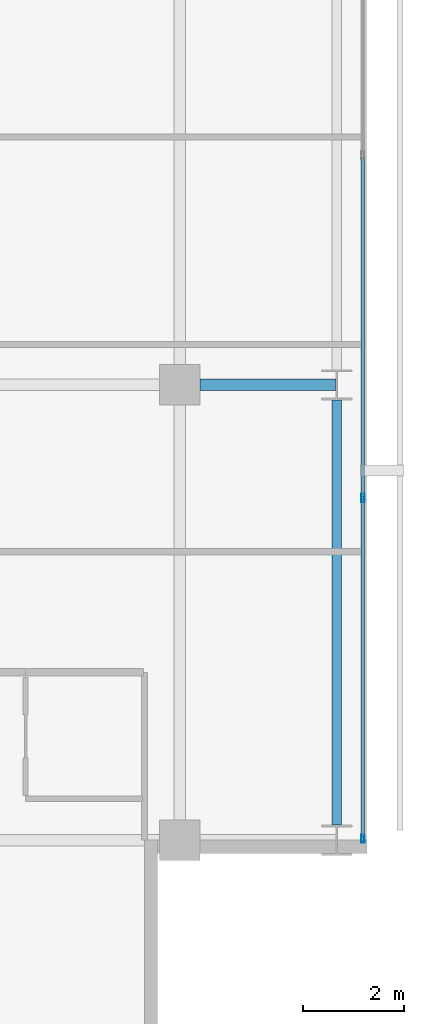
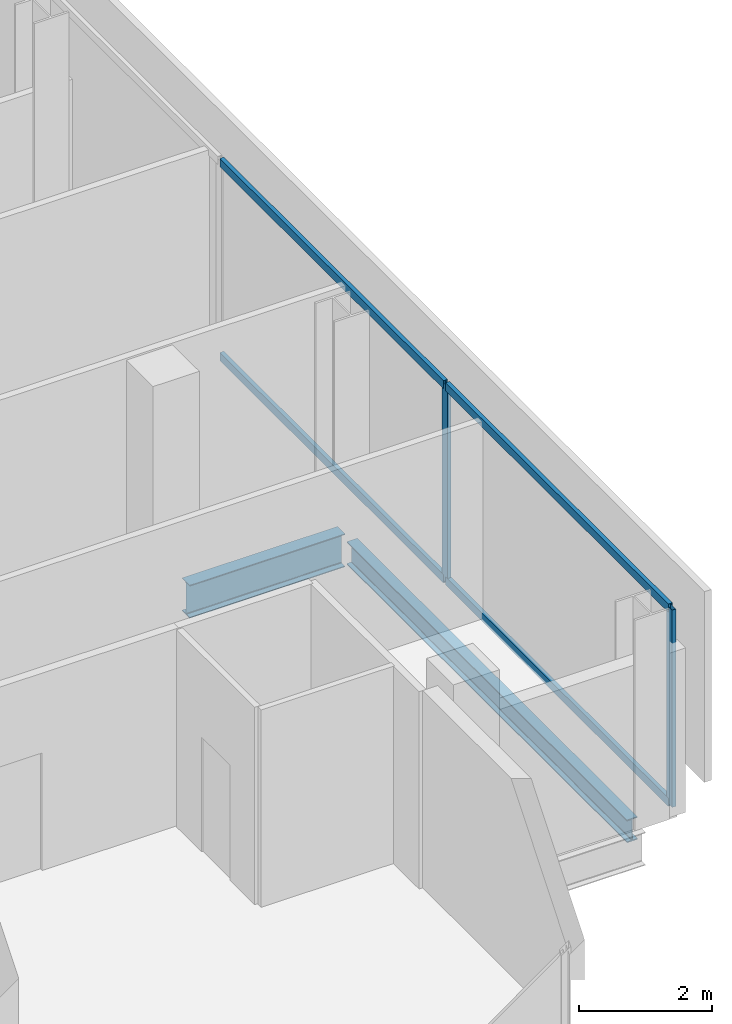
# One storey, part 15 of 34: 6 members, 2 beams, 1 element without a shape of its own.
"""IFC4 building model written with IfcOpenShell, lengths in metres."""

from ifc_helpers import new_model, si_unit, direction, frame, origin, origin_2d, place, context, subcontext, project, spatial, hollow_rectangle, i_section, extrude, material, layer, layer_set, material_profile, profile_set, type_object, element, aggregate, save


model = new_model("IFC4")

# Units and contexts
model_context = context("Model", 3, precision=1e-05, world=origin(), true_north=direction((0.0, 1.0)))
body_context = subcontext(model_context, "Body", "Model", "MODEL_VIEW")
ifc_project = project(units=[si_unit("LENGTHUNIT", "METRE"), si_unit("AREAUNIT", "SQUARE_METRE"), si_unit("VOLUMEUNIT", "CUBIC_METRE"), si_unit("PLANEANGLEUNIT", "RADIAN"), si_unit("MASSUNIT", "GRAM", prefix="KILO")], contexts=[model_context])

# Site, building, storey
site_placement = place(None, origin())
site = spatial("IfcSite", under=ifc_project, at=site_placement, CompositionType="ELEMENT")
building_placement = place(site_placement, origin())
building = spatial("IfcBuilding", under=site, at=building_placement, Name="Maruvema Waterfront Hotel and Observation Tower", CompositionType="ELEMENT")
storey_placement = place(building_placement, frame((0.0, 0.0, 173.60009765625)))
storey = spatial("IfcBuildingStorey", under=building, at=storey_placement, Name="L42", CompositionType="ELEMENT", Elevation=173.60009765625)

# Curtain wall, members
ifc_material_1 = material(Name="Anodised bronze aluminium and solar-control low-E IGU", Category="aluminium")
ifc_layer = layer(ifc_material_1, 0.159912109375, Name="Zone 2 Amber Inner Thermal Curtain Wall System CW-03")
ifc_layer_set = layer_set([ifc_layer], Name="Anodised bronze aluminium and solar-control low-E IGU")
curtain_wall_type = type_object("IfcCurtainWallType", Name="Zone 2 Amber Inner Thermal Curtain Wall System CW-03", PredefinedType="USERDEFINED", material=ifc_layer_set)
curtain_wall_placement = place(storey_placement, origin())
curtain_wall = element("IfcCurtainWall", 1, at=curtain_wall_placement, inside=storey, type_object=curtain_wall_type, Name="L42 Curtain Wall CW-L42-E", ObjectType="UNITISED CURTAIN WALL", PredefinedType="USERDEFINED")
ifc_material_2 = material(Name="Anodised architectural bronze aluminium", Category="aluminium")
ifc_material_profile_1 = material_profile(ifc_material_2, hollow_rectangle(XDim=0.070068359375, YDim=0.14990234375, WallThickness=0.00390625, at=origin_2d()), Name="ALU-T70x150")
ifc_profile_set_1 = profile_set([ifc_material_profile_1], Name="Anodised architectural bronze aluminium")
member_type_1 = type_object("IfcMemberType", Name="Curtain Wall Horizontal Transom ALU-T70x150", PredefinedType="USERDEFINED", material=ifc_profile_set_1)
member_1_placement = place(storey_placement, frame((62.419921875, 9.06005859375, 0.02978515625), z_axis=(0.0, 1.0, 0.0), x_axis=(-1.0, 0.0, 0.0)))
member_1 = element("IfcMember", 2, at=member_1_placement, type_object=member_type_1, Name="CW-03 transom 1.1", ObjectType="TRANSOM", PredefinedType="USERDEFINED", context=body_context, shape_type="SweptSolid", body=[
    extrude(hollow_rectangle(XDim=0.070068359375, YDim=0.14990234375, WallThickness=0.00390625, at=origin_2d()), origin(), (0.0, 0.0, 1.0), 6.676513671875),
])
member_2_placement = place(storey_placement, frame((62.419921875, 9.06005859375, 3.579833984375), z_axis=(0.0, 1.0, 0.0), x_axis=(-1.0, 0.0, 0.0)))
member_2 = element("IfcMember", 3, at=member_2_placement, type_object=member_type_1, Name="CW-03 transom 1.2", ObjectType="TRANSOM", PredefinedType="USERDEFINED", context=body_context, shape_type="SweptSolid", body=[
    extrude(hollow_rectangle(XDim=0.070068359375, YDim=0.14990234375, WallThickness=0.00390625, at=origin_2d()), origin(), (0.0, 0.0, 1.0), 6.676513671875),
])
member_3_placement = place(storey_placement, frame((62.419921875, 15.796630859375, 0.02978515625), z_axis=(0.0, 1.0, 0.0), x_axis=(-1.0, 0.0, 0.0)))
member_3 = element("IfcMember", 4, at=member_3_placement, type_object=member_type_1, Name="CW-03 transom 2.1", ObjectType="TRANSOM", PredefinedType="USERDEFINED", context=body_context, shape_type="SweptSolid", body=[
    extrude(hollow_rectangle(XDim=0.070068359375, YDim=0.14990234375, WallThickness=0.00390625, at=origin_2d()), origin(), (0.0, 0.0, 1.0), 6.706787109375),
])
member_4_placement = place(storey_placement, frame((62.419921875, 15.796630859375, 3.579833984375), z_axis=(0.0, 1.0, 0.0), x_axis=(-1.0, 0.0, 0.0)))
member_4 = element("IfcMember", 5, at=member_4_placement, type_object=member_type_1, Name="CW-03 transom 2.2", ObjectType="TRANSOM", PredefinedType="USERDEFINED", context=body_context, shape_type="SweptSolid", body=[
    extrude(hollow_rectangle(XDim=0.070068359375, YDim=0.14990234375, WallThickness=0.00390625, at=origin_2d()), origin(), (0.0, 0.0, 1.0), 6.706787109375),
])
ifc_material_3 = material(Name="Anodised architectural bronze aluminium", Category="aluminium")
ifc_material_profile_2 = material_profile(ifc_material_3, hollow_rectangle(XDim=0.06494140625, YDim=0.1650390625, WallThickness=0.00390625, at=origin_2d()), Name="ALU-M65x165")
ifc_profile_set_2 = profile_set([ifc_material_profile_2], Name="Anodised architectural bronze aluminium")
member_type_2 = type_object("IfcMemberType", Name="Curtain Wall Primary Mullion ALU-M65x165", PredefinedType="MULLION", material=ifc_profile_set_2)
member_5_placement = place(storey_placement, frame((62.419921875, 9.030029296875, 0.0), z_axis=(0.0, 0.0, 1.0), x_axis=(-1.0, 0.0, 0.0)))
member_5 = element("IfcMember", 6, at=member_5_placement, type_object=member_type_2, Name="CW-03 mullion 1", PredefinedType="MULLION", context=body_context, shape_type="SweptSolid", body=[
    extrude(hollow_rectangle(XDim=0.06494140625, YDim=0.1650390625, WallThickness=0.00390625, at=origin_2d()), origin(), (0.0, 0.0, 1.0), 3.60986328125),
])
member_6_placement = place(storey_placement, frame((62.419921875, 15.7666015625, 0.0), z_axis=(0.0, 0.0, 1.0), x_axis=(-1.0, 0.0, 0.0)))
member_6 = element("IfcMember", 7, at=member_6_placement, type_object=member_type_2, Name="CW-03 mullion 2", PredefinedType="MULLION", context=body_context, shape_type="SweptSolid", body=[
    extrude(hollow_rectangle(XDim=0.06494140625, YDim=0.1650390625, WallThickness=0.00390625, at=origin_2d()), origin(), (0.0, 0.0, 1.0), 3.60986328125),
])
aggregate(curtain_wall, [member_5, member_6, member_1, member_2, member_3, member_4])

# Beams
ifc_material_4 = material(Name="Steel ASTM A572 Grade 50", Category="steel")
ifc_material_profile_3 = material_profile(ifc_material_4, i_section(OverallWidth=0.180908203125, OverallDepth=0.4169921875, WebThickness=0.010986328125, FlangeThickness=0.018310546875, FilletRadius=0.014892578125, at=origin_2d()), Name="W410x85.0")
ifc_profile_set_3 = profile_set([ifc_material_profile_3], Name="Steel ASTM A572 Grade 50")
beam_type_1 = type_object("IfcBeamType", Name="Perimeter Spandrel Beam W410x85.0", PredefinedType="SPANDREL", material=ifc_profile_set_3)
beam_1_placement = place(storey_placement, frame((61.89990234375, 9.300048828125, -0.448486328125), z_axis=(0.0, 1.0, 0.0), x_axis=(-1.0, 0.0, 0.0)))
element("IfcBeam", 8, at=beam_1_placement, inside=storey, type_object=beam_type_1, Name="L42 Floor Girder NS-29", PredefinedType="SPANDREL", context=body_context, shape_type="SweptSolid", body=[
    extrude(i_section(OverallWidth=0.180908203125, OverallDepth=0.4169921875, WebThickness=0.010986328125, FlangeThickness=0.018310546875, FilletRadius=0.014892578125, at=origin_2d()), origin(), (0.0, 0.0, 1.0), 8.39990234375),
])
ifc_material_5 = material(Name="Steel ASTM A572 Grade 50", Category="steel")
ifc_material_profile_4 = material_profile(ifc_material_5, i_section(OverallWidth=0.22802734375, OverallDepth=0.60302734375, WebThickness=0.010498046875, FlangeThickness=0.014892578125, FilletRadius=0.01806640625, at=origin_2d()), Name="W610x101.0")
ifc_profile_set_4 = profile_set([ifc_material_profile_4], Name="Steel ASTM A572 Grade 50")
beam_type_2 = type_object("IfcBeamType", Name="Primary Floor Girder W610x101.0", PredefinedType="BEAM", material=ifc_profile_set_4)
beam_2_placement = place(storey_placement, frame((59.199951171875, 18.0, -0.54150390625), z_axis=(1.0, 0.0, 0.0), x_axis=(0.0, 1.0, 0.0)))
element("IfcBeam", 9, at=beam_2_placement, inside=storey, type_object=beam_type_2, Name="L42 Floor Girder EW-17", PredefinedType="BEAM", context=body_context, shape_type="SweptSolid", body=[
    extrude(i_section(OverallWidth=0.22802734375, OverallDepth=0.60302734375, WebThickness=0.010498046875, FlangeThickness=0.014892578125, FilletRadius=0.01806640625, at=origin_2d()), origin(), (0.0, 0.0, 1.0), 2.6875),
])

save(model, "model.ifc")
